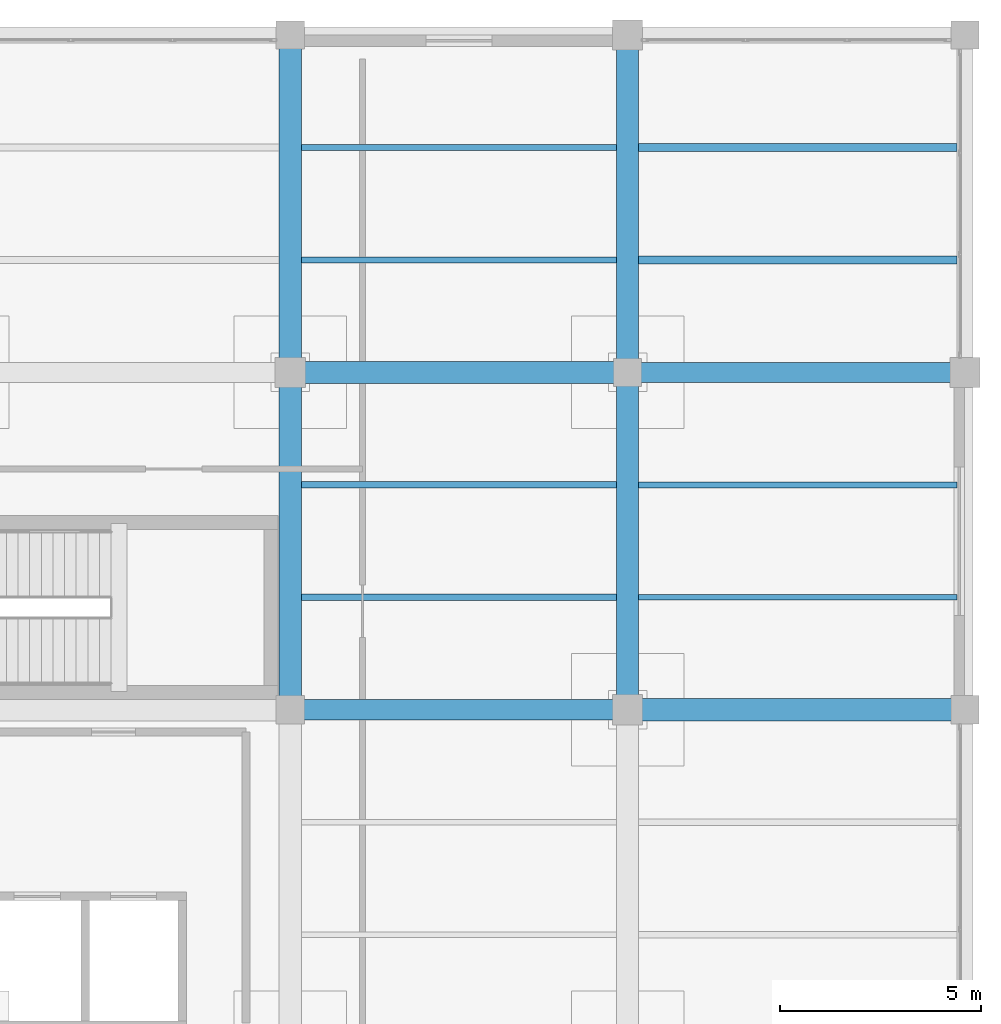
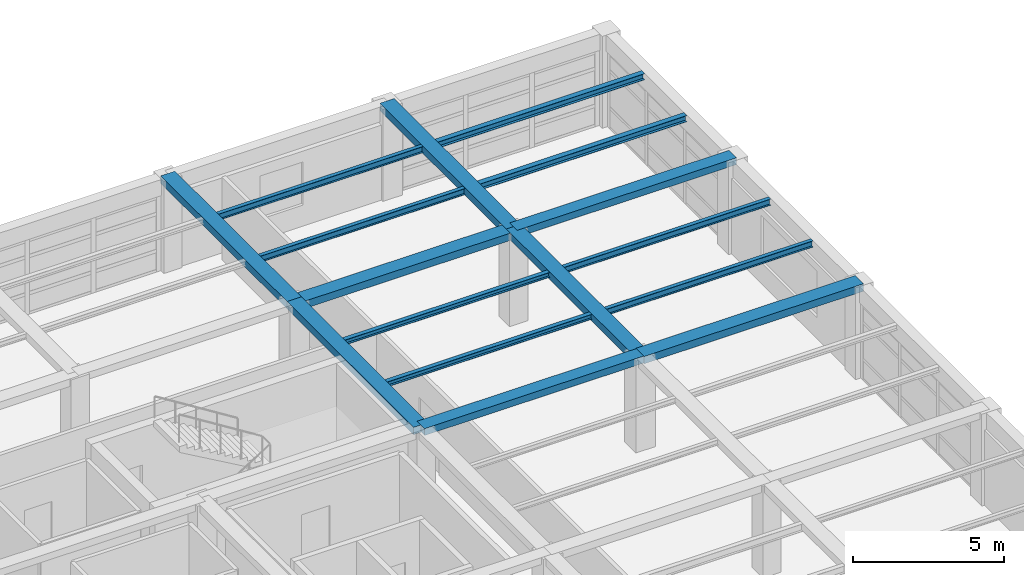
# One storey, part 13 of 26: 16 beams.
"""IFC4 building model written with IfcOpenShell, lengths in metres."""

from ifc_helpers import new_model, si_unit, direction, frame, origin, origin_2d, place, context, subcontext, project, spatial, rectangle, i_section, extrude, material, material_profile, profile_set, type_object, element, save


model = new_model("IFC4")

# Units and contexts
model_context = context("Model", 3, precision=1e-05, world=origin(), true_north=direction((0.0, 1.0)))
body_context = subcontext(model_context, "Body", "Model", "MODEL_VIEW")
ifc_project = project(units=[si_unit("LENGTHUNIT", "METRE"), si_unit("AREAUNIT", "SQUARE_METRE"), si_unit("VOLUMEUNIT", "CUBIC_METRE"), si_unit("PLANEANGLEUNIT", "RADIAN"), si_unit("MASSUNIT", "GRAM", prefix="KILO")], contexts=[model_context])

# Site, building, storey
site_placement = place(None, origin())
site = spatial("IfcSite", under=ifc_project, at=site_placement, CompositionType="ELEMENT")
building_placement = place(site_placement, origin())
building = spatial("IfcBuilding", under=site, at=building_placement, Name="Almacenes y Pasaje Nevantli", CompositionType="ELEMENT")
storey_placement = place(building_placement, frame((0.0, 0.0, 38.699951171875)))
storey = spatial("IfcBuildingStorey", under=building, at=storey_placement, Name="L09", CompositionType="ELEMENT", Elevation=38.699951171875)

# Beams
ifc_material_1 = material(Name="Concrete C35/45", Category="concrete")
ifc_material_profile_1 = material_profile(ifc_material_1, rectangle(XDim=0.5, YDim=0.280029296875, at=origin_2d()), Name="RC-BM-500x280")
ifc_profile_set_1 = profile_set([ifc_material_profile_1], Name="Concrete C35/45")
beam_type_1 = type_object("IfcBeamType", Name="BM-RC-500x280", PredefinedType="BEAM", material=ifc_profile_set_1)
beam_1_placement = place(storey_placement, frame((142.800048828125, 84.0, 3.580078125), z_axis=(1.0, 0.0, 0.0), x_axis=(0.0, 1.0, 0.0)))
element("IfcBeam", 1, at=beam_1_placement, inside=storey, type_object=beam_type_1, Name="L09 East-West Reinforced Concrete Beam #3757", PredefinedType="BEAM", context=body_context, shape_type="SweptSolid", body=[
    extrude(rectangle(XDim=0.5, YDim=0.280029296875, at=origin_2d()), origin(), (0.0, 0.0, 1.0), 8.39990234375),
])
beam_2_placement = place(storey_placement, frame((151.199951171875, 92.39990234375, 3.580078125), z_axis=(1.0, 0.0, 0.0), x_axis=(0.0, 1.0, 0.0)))
element("IfcBeam", 2, at=beam_2_placement, inside=storey, type_object=beam_type_1, Name="L09 East-West Reinforced Concrete Beam #3764", PredefinedType="BEAM", context=body_context, shape_type="SweptSolid", body=[
    extrude(rectangle(XDim=0.5, YDim=0.280029296875, at=origin_2d()), origin(), (0.0, 0.0, 1.0), 8.400146484375),
])
ifc_material_2 = material(Name="Concrete C35/45", Category="concrete")
ifc_material_profile_2 = material_profile(ifc_material_2, rectangle(XDim=0.550048828125, YDim=0.300048828125, at=origin_2d()), Name="RC-BM-550x300")
ifc_profile_set_2 = profile_set([ifc_material_profile_2], Name="Concrete C35/45")
beam_type_2 = type_object("IfcBeamType", Name="BM-RC-550x300", PredefinedType="BEAM", material=ifc_profile_set_2)
beam_3_placement = place(storey_placement, frame((151.199951171875, 84.0, 3.570068359375), z_axis=(1.0, 0.0, 0.0), x_axis=(0.0, 1.0, 0.0)))
element("IfcBeam", 3, at=beam_3_placement, inside=storey, type_object=beam_type_2, Name="L09 East-West Reinforced Concrete Beam #3758", PredefinedType="BEAM", context=body_context, shape_type="SweptSolid", body=[
    extrude(rectangle(XDim=0.550048828125, YDim=0.300048828125, at=origin_2d()), origin(), (0.0, 0.0, 1.0), 8.400146484375),
])
for number, where, z_axis, x_axis, name in (
    (4, (142.800048828125, 92.39990234375, 3.570068359375), (1.0, 0.0, 0.0), (0.0, 1.0, 0.0), "L09 East-West Reinforced Concrete Beam #3763"),
    (5, (142.800048828125, 84.0, 3.570068359375), (0.0, 1.0, 0.0), (-1.0, 0.0, 0.0), "L09 North-South Reinforced Concrete Beam #3787"),
):
    element("IfcBeam", number, at=place(storey_placement, frame(where, z_axis=z_axis, x_axis=x_axis)), inside=storey, type_object=beam_type_2, Name=name, PredefinedType="BEAM", context=body_context, shape_type="SweptSolid", body=[
        extrude(rectangle(XDim=0.550048828125, YDim=0.300048828125, at=origin_2d()), origin(), (0.0, 0.0, 1.0), 8.39990234375),
    ])
beam_4_placement = place(storey_placement, frame((142.800048828125, 92.39990234375, 3.570068359375), z_axis=(0.0, 1.0, 0.0), x_axis=(-1.0, 0.0, 0.0)))
element("IfcBeam", 6, at=beam_4_placement, inside=storey, type_object=beam_type_2, Name="L09 North-South Reinforced Concrete Beam #3788", PredefinedType="BEAM", context=body_context, shape_type="SweptSolid", body=[
    extrude(rectangle(XDim=0.550048828125, YDim=0.300048828125, at=origin_2d()), origin(), (0.0, 0.0, 1.0), 8.400146484375),
])
beam_5_placement = place(storey_placement, frame((151.199951171875, 84.0, 3.570068359375), z_axis=(0.0, 1.0, 0.0), x_axis=(-1.0, 0.0, 0.0)))
element("IfcBeam", 7, at=beam_5_placement, inside=storey, type_object=beam_type_2, Name="L09 North-South Reinforced Concrete Beam #3791", PredefinedType="BEAM", context=body_context, shape_type="SweptSolid", body=[
    extrude(rectangle(XDim=0.550048828125, YDim=0.300048828125, at=origin_2d()), origin(), (0.0, 0.0, 1.0), 8.39990234375),
])
beam_6_placement = place(storey_placement, frame((151.199951171875, 92.39990234375, 3.570068359375), z_axis=(0.0, 1.0, 0.0), x_axis=(-1.0, 0.0, 0.0)))
element("IfcBeam", 8, at=beam_6_placement, inside=storey, type_object=beam_type_2, Name="L09 North-South Reinforced Concrete Beam #3792", PredefinedType="BEAM", context=body_context, shape_type="SweptSolid", body=[
    extrude(rectangle(XDim=0.550048828125, YDim=0.300048828125, at=origin_2d()), origin(), (0.0, 0.0, 1.0), 8.400146484375),
])
ifc_material_3 = material(Name="Steel ASTM A992", Category="steel")
ifc_material_profile_3 = material_profile(ifc_material_3, i_section(OverallWidth=0.166015625, OverallDepth=0.205078125, WebThickness=0.007080078125, FlangeThickness=0.01171875, at=origin_2d()), Name="IR 203x41.7")
ifc_profile_set_3 = profile_set([ifc_material_profile_3], Name="Steel ASTM A992")
beam_type_3 = type_object("IfcBeamType", Name="BM-STL-IR-203x41p7", PredefinedType="JOIST", material=ifc_profile_set_3)
for number, where, z_axis, x_axis, name in (
    (9, (143.074951171875, 86.800048828125, 3.609619140625), (1.0, 0.0, 0.0), (0.0, 1.0, 0.0), "L09 Secondary Steel Floor Joist #1477"),
    (10, (143.074951171875, 89.60009765625, 3.609619140625), (1.0, 0.0, 0.0), (0.0, 1.0, 0.0), "L09 Secondary Steel Floor Joist #1478"),
):
    element("IfcBeam", number, at=place(storey_placement, frame(where, z_axis=z_axis, x_axis=x_axis)), inside=storey, type_object=beam_type_3, Name=name, PredefinedType="JOIST", context=body_context, shape_type="SweptSolid", body=[
        extrude(i_section(OverallWidth=0.166015625, OverallDepth=0.205078125, WebThickness=0.007080078125, FlangeThickness=0.01171875, at=origin_2d()), origin(), (0.0, 0.0, 1.0), 7.85009765625),
    ])
ifc_material_4 = material(Name="Steel ASTM A992", Category="steel")
ifc_material_profile_4 = material_profile(ifc_material_4, i_section(OverallWidth=0.14697265625, OverallDepth=0.257080078125, WebThickness=0.006591796875, FlangeThickness=0.01123046875, at=origin_2d()), Name="IR 254x38.7")
ifc_profile_set_4 = profile_set([ifc_material_profile_4], Name="Steel ASTM A992")
beam_type_4 = type_object("IfcBeamType", Name="BM-STL-IR-254x38p7", PredefinedType="JOIST", material=ifc_profile_set_4)
for number, where, z_axis, x_axis, name in (
    (11, (143.074951171875, 95.199951171875, 3.58349609375), (1.0, 0.0, 0.0), (0.0, 1.0, 0.0), "L09 Secondary Steel Floor Joist #1479"),
    (12, (143.074951171875, 98.0, 3.58349609375), (1.0, 0.0, 0.0), (0.0, 1.0, 0.0), "L09 Secondary Steel Floor Joist #1480"),
):
    element("IfcBeam", number, at=place(storey_placement, frame(where, z_axis=z_axis, x_axis=x_axis)), inside=storey, type_object=beam_type_4, Name=name, PredefinedType="JOIST", context=body_context, shape_type="SweptSolid", body=[
        extrude(i_section(OverallWidth=0.14697265625, OverallDepth=0.257080078125, WebThickness=0.006591796875, FlangeThickness=0.01123046875, at=origin_2d()), origin(), (0.0, 0.0, 1.0), 7.85009765625),
    ])
for number, where, z_axis, x_axis, name in (
    (13, (151.47509765625, 86.800048828125, 3.58349609375), (1.0, 0.0, 0.0), (0.0, 1.0, 0.0), "L09 Secondary Steel Floor Joist #1485"),
    (14, (151.47509765625, 89.60009765625, 3.58349609375), (1.0, 0.0, 0.0), (0.0, 1.0, 0.0), "L09 Secondary Steel Floor Joist #1486"),
):
    element("IfcBeam", number, at=place(storey_placement, frame(where, z_axis=z_axis, x_axis=x_axis)), inside=storey, type_object=beam_type_4, Name=name, PredefinedType="JOIST", context=body_context, shape_type="SweptSolid", body=[
        extrude(i_section(OverallWidth=0.14697265625, OverallDepth=0.257080078125, WebThickness=0.006591796875, FlangeThickness=0.01123046875, at=origin_2d()), origin(), (0.0, 0.0, 1.0), 7.9248046875),
    ])
ifc_material_5 = material(Name="Steel ASTM A992", Category="steel")
ifc_material_profile_5 = material_profile(ifc_material_5, i_section(OverallWidth=0.202880859375, OverallDepth=0.25390625, WebThickness=0.00732421875, FlangeThickness=0.010986328125, at=origin_2d()), Name="IR 254x49.1")
ifc_profile_set_5 = profile_set([ifc_material_profile_5], Name="Steel ASTM A992")
beam_type_5 = type_object("IfcBeamType", Name="BM-STL-IR-254x49p1", PredefinedType="JOIST", material=ifc_profile_set_5)
for number, where, z_axis, x_axis, name in (
    (15, (151.47509765625, 95.199951171875, 3.5849609375), (1.0, 0.0, 0.0), (0.0, 1.0, 0.0), "L09 Secondary Steel Floor Joist #1487"),
    (16, (151.47509765625, 98.0, 3.5849609375), (1.0, 0.0, 0.0), (0.0, 1.0, 0.0), "L09 Secondary Steel Floor Joist #1488"),
):
    element("IfcBeam", number, at=place(storey_placement, frame(where, z_axis=z_axis, x_axis=x_axis)), inside=storey, type_object=beam_type_5, Name=name, PredefinedType="JOIST", context=body_context, shape_type="SweptSolid", body=[
        extrude(i_section(OverallWidth=0.202880859375, OverallDepth=0.25390625, WebThickness=0.00732421875, FlangeThickness=0.010986328125, at=origin_2d()), origin(), (0.0, 0.0, 1.0), 7.9248046875),
    ])

save(model, "model.ifc")
